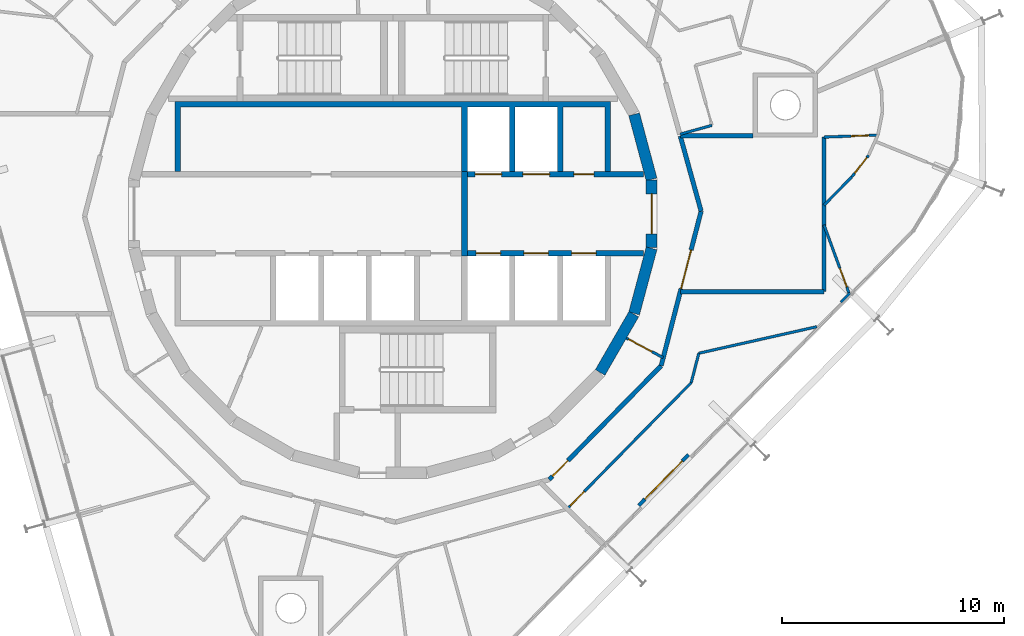
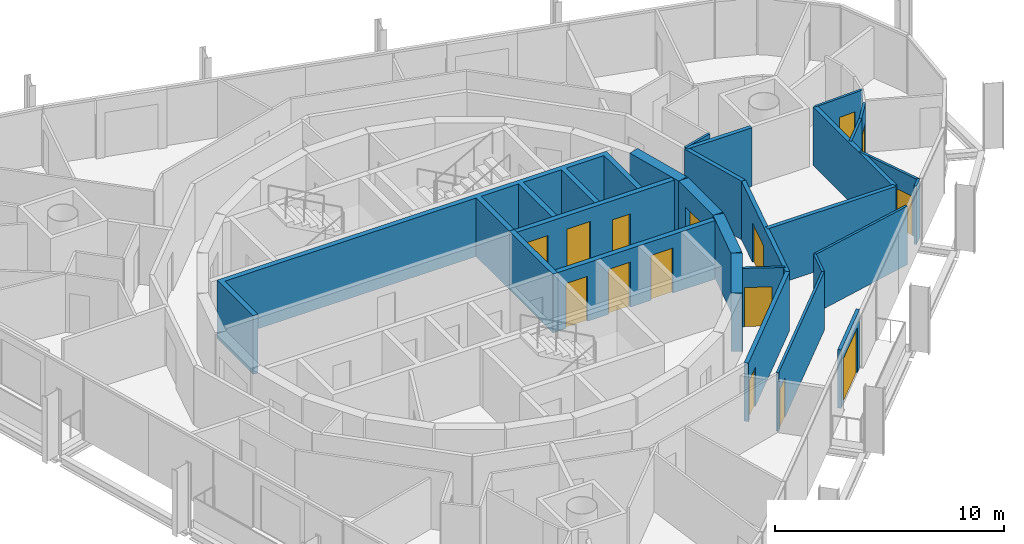
# One storey, part 11 of 15: 25 walls, 15 doors, 15 openings.
"""IFC4 building model written with IfcOpenShell, lengths in metres."""

from ifc_helpers import new_model, si_unit, direction, frame, frame_2d, origin, place, context, subcontext, project, spatial, polyline, rectangle, outline, extrude, material, layer, layer_set, type_object, element, fill, save


model = new_model("IFC4")

# Units and contexts
model_context = context("Model", 3, precision=1e-05, world=origin(), true_north=direction((0.0, 1.0)))
body_context = subcontext(model_context, "Body", "Model", "MODEL_VIEW")
ifc_project = project(units=[si_unit("LENGTHUNIT", "METRE"), si_unit("AREAUNIT", "SQUARE_METRE"), si_unit("VOLUMEUNIT", "CUBIC_METRE"), si_unit("PLANEANGLEUNIT", "RADIAN"), si_unit("MASSUNIT", "GRAM", prefix="KILO")], contexts=[model_context])

# Site, building, storey
site_placement = place(None, origin())
site = spatial("IfcSite", under=ifc_project, at=site_placement, CompositionType="ELEMENT")
building_placement = place(site_placement, origin())
building = spatial("IfcBuilding", under=site, at=building_placement, Name="Spindle Arch Residences", CompositionType="ELEMENT")
storey_placement = place(building_placement, frame((0.0, 0.0, 315.699951171875)))
storey = spatial("IfcBuildingStorey", under=building, at=storey_placement, Name="L81", CompositionType="ELEMENT", Elevation=315.699951171875)

# Walls
ifc_material_1 = material(Name="Concrete C50/60", Category="concrete")
ifc_layer_1 = layer(ifc_material_1, 0.5)
ifc_layer_set_1 = layer_set([ifc_layer_1], Name="Core outline wall 500")
wall_type_1 = type_object("IfcWallType", Name="Core outline wall 500", PredefinedType="SHEAR", material=ifc_layer_set_1)
for number, where, z_axis, x_axis, name in (
    (1, (9.32861328125, -7.13671875, 0.0), (0.0, 0.0, 1.0), (0.500087131594, 0.865975092491, 0.0), "Core outline wall 4"),
    (2, (10.858154296875, -4.479248046875, 0.0), (0.0, 0.0, 1.0), (0.258734743916, 0.965948410781, 0.0), "Core outline wall 5"),
):
    element("IfcWall", number, at=place(storey_placement, frame(where, z_axis=z_axis, x_axis=x_axis)), inside=storey, type_object=wall_type_1, Name=name, PredefinedType="SHEAR", context=body_context, shape_type="SweptSolid", body=[
        extrude(rectangle(XDim=3.03271484375, YDim=0.5, at=frame_2d((1.516357421875, 0.0))), origin(), (0.0, 0.0, 1.0), 3.1201171875),
    ])

# Wall, opening, door
wall_1_placement = place(storey_placement, frame((11.647216796875, -1.516357421875, 0.0), z_axis=(0.0, 0.0, 1.0), x_axis=(0.0, 1.0, 0.0)))
wall_1 = element("IfcWall", 3, at=wall_1_placement, inside=storey, type_object=wall_type_1, Name="Core outline wall 6", PredefinedType="SHEAR", context=body_context, shape_type="SweptSolid", body=[
    extrude(rectangle(XDim=3.03271484375, YDim=0.5, at=frame_2d((1.516357421875, 0.0))), origin(), (0.0, 0.0, 1.0), 3.1201171875),
])
opening_1_placement = place(wall_1_placement, frame((0.6162109375, 0.0, 0.0)))
opening_1 = element("IfcOpeningElement", 4, at=opening_1_placement, cuts=wall_1, Name="Opening R8B1-FE01", PredefinedType="OPENING", context=body_context, shape_type="SweptSolid", body=[
    extrude(rectangle(XDim=1.800048828125, YDim=2.10009765625, at=frame_2d((0.89990234375, 1.050048828125))), frame((0.0, 0.260009765625, 0.0), z_axis=(0.0, -1.0, 0.0), x_axis=(1.0, 0.0, 0.0)), (0.0, 0.0, 1.0), 0.52001953125),
])
ifc_material_2 = material(Name="Steel, fire-resisting door", Category="steel")
door_type_1 = type_object("IfcDoorType", Name="Fire-lift lobby door 1800x2100", OperationType="DOUBLE_DOOR_SINGLE_SWING", PredefinedType="DOOR", material=ifc_material_2)
door_1_placement = place(opening_1_placement, origin())
door_1 = element("IfcDoor", 5, at=door_1_placement, inside=storey, type_object=door_type_1, Name="Fire-lift lobby door R8B1-FE01", OperationType="DOUBLE_DOOR_SINGLE_SWING", OverallHeight=2.10009765625, OverallWidth=1.800048828125, PredefinedType="DOOR", context=body_context, shape_type="SweptSolid", body=[
    extrude(rectangle(XDim=1.800048828125, YDim=2.10009765625, at=frame_2d((0.89990234375, 1.050048828125))), frame((0.0, 0.02490234375, 0.0), z_axis=(0.0, -1.0, 0.0), x_axis=(1.0, 0.0, 0.0)), (0.0, 0.0, 1.0), 0.050048828125),
])
fill(opening_1, door_1)

# Wall
wall_2_placement = place(storey_placement, frame((11.642822265625, 1.5498046875, 0.0), z_axis=(0.0, 0.0, 1.0), x_axis=(-0.258734743916, 0.965948410781, 0.0)))
element("IfcWall", 6, at=wall_2_placement, inside=storey, type_object=wall_type_1, Name="Core outline wall 7", PredefinedType="SHEAR", context=body_context, shape_type="SweptSolid", body=[
    extrude(rectangle(XDim=3.03271484375, YDim=0.5, at=frame_2d((1.516357421875, 0.0))), origin(), (0.0, 0.0, 1.0), 3.1201171875),
])

# Wall, opening, door
ifc_material_3 = material(Name="Plasterboard on steel studs", Category="steel")
ifc_layer_2 = layer(ifc_material_3, 0.1201171875)
ifc_layer_set_2 = layer_set([ifc_layer_2], Name="Corridor division wall 120")
wall_type_2 = type_object("IfcWallType", Name="Corridor division wall 120", PredefinedType="PARTITIONING", material=ifc_layer_set_2)
wall_3_placement = place(storey_placement, frame((10.510986328125, -5.5888671875, 0.0), z_axis=(0.0, 0.0, 1.0), x_axis=(0.882957311919, -0.469453283437, 0.0)))
wall_3 = element("IfcWall", 7, at=wall_3_placement, inside=storey, type_object=wall_type_2, Name="Corridor division wall R8B1-W002", PredefinedType="PARTITIONING", context=body_context, shape_type="SweptSolid", body=[
    extrude(rectangle(XDim=1.87646484375, YDim=0.1201171875, at=frame_2d((0.938232421875, 0.0))), origin(), (0.0, 0.0, 1.0), 3.1201171875),
])
opening_2_placement = place(wall_3_placement, frame((0.10009765625, 0.0, 0.0)))
opening_2 = element("IfcOpeningElement", 8, at=opening_2_placement, cuts=wall_3, Name="Opening R8B1-CD02", PredefinedType="OPENING", context=body_context, shape_type="SweptSolid", body=[
    extrude(rectangle(XDim=1.199951171875, YDim=2.10009765625, at=frame_2d((0.60009765625, 1.050048828125))), frame((0.0, 0.070068359375, 0.0), z_axis=(0.0, -1.0, 0.0), x_axis=(1.0, 0.0, 0.0)), (0.0, 0.0, 1.0), 0.14013671875),
])
ifc_material_4 = material(Name="Steel, fire-resisting door", Category="steel")
door_type_2 = type_object("IfcDoorType", Name="Corridor division door 1200x2100", OperationType="NOTDEFINED", PredefinedType="DOOR", material=ifc_material_4)
door_2_placement = place(opening_2_placement, origin())
door_2 = element("IfcDoor", 9, at=door_2_placement, inside=storey, type_object=door_type_2, Name="Corridor division door R8B1-CD02", OperationType="DOUBLE_DOOR_SINGLE_SWING", OverallHeight=2.10009765625, OverallWidth=1.199951171875, PredefinedType="DOOR", context=body_context, shape_type="SweptSolid", body=[
    extrude(rectangle(XDim=1.199951171875, YDim=2.10009765625, at=frame_2d((0.60009765625, 1.050048828125))), frame((0.0, 0.02490234375, 0.0), z_axis=(0.0, -1.0, 0.0), x_axis=(1.0, 0.0, 0.0)), (0.0, 0.0, 1.0), 0.050048828125),
])
fill(opening_2, door_2)

ifc_material_5 = material(Name="Calcium silicate block, plastered")
ifc_layer_3 = layer(ifc_material_5, 0.199951171875)
ifc_layer_set_3 = layer_set([ifc_layer_3], Name="Corridor wall 200")
wall_type_3 = type_object("IfcWallType", Name="Corridor wall 200", PredefinedType="STANDARD", material=ifc_layer_set_3)
wall_4_placement = place(storey_placement, frame((7.041015625, -11.953125, 0.0), z_axis=(0.0, 0.0, 1.0), x_axis=(0.70090916255, 0.713250549143, 0.0)))
wall_4 = element("IfcWall", 10, at=wall_4_placement, inside=storey, type_object=wall_type_3, Name="Corridor wall R8B1-W016", PredefinedType="STANDARD", context=body_context, shape_type="SweptSolid", body=[
    extrude(rectangle(XDim=7.180908203125, YDim=0.199951171875, at=frame_2d((3.59033203125, 0.0))), origin(), (0.0, 0.0, 1.0), 3.1201171875),
])
opening_3_placement = place(wall_4_placement, frame((0.199951171875, 0.0, 0.0)))
opening_3 = element("IfcOpeningElement", 11, at=opening_3_placement, cuts=wall_4, Name="Opening R8B1-FD06", PredefinedType="OPENING", context=body_context, shape_type="SweptSolid", body=[
    extrude(rectangle(XDim=1.0, YDim=2.10009765625, at=frame_2d((0.5, 1.050048828125))), frame((0.0, 0.10986328125, 0.0), z_axis=(0.0, -1.0, 0.0), x_axis=(1.0, 0.0, 0.0)), (0.0, 0.0, 1.0), 0.219970703125),
])
ifc_material_6 = material(Name="Timber, fire-resisting door set", Category="wood")
door_type_3 = type_object("IfcDoorType", Name="Flat entrance door 1000x2100", OperationType="NOTDEFINED", PredefinedType="DOOR", material=ifc_material_6)
door_3_placement = place(opening_3_placement, origin())
door_3 = element("IfcDoor", 12, at=door_3_placement, inside=storey, type_object=door_type_3, Name="Flat entrance door R8B1-FD06", OperationType="SINGLE_SWING_LEFT", OverallHeight=2.10009765625, OverallWidth=1.0, PredefinedType="DOOR", context=body_context, shape_type="SweptSolid", body=[
    extrude(rectangle(XDim=1.0, YDim=2.10009765625, at=frame_2d((0.5, 1.050048828125))), frame((0.0, 0.02490234375, 0.0), z_axis=(0.0, -1.0, 0.0), x_axis=(1.0, 0.0, 0.0)), (0.0, 0.0, 1.0), 0.050048828125),
])
fill(opening_3, door_3)

ifc_material_7 = material(Name="Calcium silicate block, plastered")
ifc_layer_4 = layer(ifc_material_7, 0.199951171875)
ifc_layer_set_4 = layer_set([ifc_layer_4], Name="Fire-lift lobby bay wall 200")
wall_type_4 = type_object("IfcWallType", Name="Fire-lift lobby bay wall 200", PredefinedType="STANDARD", material=ifc_layer_set_4)
wall_5_placement = place(storey_placement, frame((12.07421875, -6.831298828125, 0.0), z_axis=(0.0, 0.0, 1.0), x_axis=(0.250391063186, 0.968144780225, 0.0)))
wall_5 = element("IfcWall", 13, at=wall_5_placement, inside=storey, type_object=wall_type_4, Name="Fire-lift lobby bay wall R8B1-W004", PredefinedType="STANDARD", context=body_context, shape_type="SweptSolid", body=[
    extrude(rectangle(XDim=7.18115234375, YDim=0.199951171875, at=frame_2d((3.590576171875, 0.0))), origin(), (0.0, 0.0, 1.0), 3.1201171875),
])
opening_4_placement = place(wall_5_placement, frame((3.580810546875, 0.0, 0.0)))
opening_4 = element("IfcOpeningElement", 14, at=opening_4_placement, cuts=wall_5, Name="Opening R8B1-FB01", PredefinedType="OPENING", context=body_context, shape_type="SweptSolid", body=[
    extrude(rectangle(XDim=1.800048828125, YDim=2.10009765625, at=frame_2d((0.89990234375, 1.050048828125))), frame((0.0, 0.10986328125, 0.0), z_axis=(0.0, -1.0, 0.0), x_axis=(1.0, 0.0, 0.0)), (0.0, 0.0, 1.0), 0.219970703125),
])
ifc_material_8 = material(Name="Steel, fire-resisting door", Category="steel")
door_type_4 = type_object("IfcDoorType", Name="Fire-lift lobby bay door 1800x2100", OperationType="NOTDEFINED", PredefinedType="DOOR", material=ifc_material_8)
door_4_placement = place(opening_4_placement, origin())
door_4 = element("IfcDoor", 15, at=door_4_placement, inside=storey, type_object=door_type_4, Name="Fire-lift lobby bay door R8B1-FB01", OperationType="DOUBLE_DOOR_SINGLE_SWING", OverallHeight=2.10009765625, OverallWidth=1.800048828125, PredefinedType="DOOR", context=body_context, shape_type="SweptSolid", body=[
    extrude(rectangle(XDim=1.800048828125, YDim=2.10009765625, at=frame_2d((0.89990234375, 1.050048828125))), frame((0.0, 0.02490234375, 0.0), z_axis=(0.0, -1.0, 0.0), x_axis=(1.0, 0.0, 0.0)), (0.0, 0.0, 1.0), 0.050048828125),
])
fill(opening_4, door_4)

# Walls
wall_6_placement = place(storey_placement, frame((13.872314453125, 0.12109375, 0.0), z_axis=(0.0, 0.0, 1.0), x_axis=(-0.267291928416, 0.963615600228, 0.0)))
element("IfcWall", 16, at=wall_6_placement, inside=storey, type_object=wall_type_4, Name="Fire-lift lobby bay wall R8B1-W005", PredefinedType="STANDARD", context=body_context, shape_type="SweptSolid", body=[
    extrude(rectangle(XDim=3.506591796875, YDim=0.199951171875, at=frame_2d((1.75341796875, 0.0))), origin(), (0.0, 0.0, 1.0), 3.1201171875),
])
wall_7_placement = place(storey_placement, frame((16.20263671875, 3.510009765625, 0.0), z_axis=(0.0, 0.0, 1.0), x_axis=(-1.0, 0.0, 0.0)))
element("IfcWall", 17, at=wall_7_placement, inside=storey, type_object=wall_type_4, Name="Fire-lift lobby bay wall R8B1-W019", PredefinedType="STANDARD", context=body_context, shape_type="SweptSolid", body=[
    extrude(rectangle(XDim=3.260009765625, YDim=0.199951171875, at=frame_2d((1.6298828125, 0.0))), origin(), (0.0, 0.0, 1.0), 3.1201171875),
])
wall_8_placement = place(storey_placement, frame((12.935791015625, -3.5, 0.0), z_axis=(0.0, 0.0, 1.0), x_axis=(1.0, 0.0, 0.0)))
element("IfcWall", 18, at=wall_8_placement, inside=storey, type_object=wall_type_4, Name="Fire-lift lobby bay wall R8B1-W020", PredefinedType="STANDARD", context=body_context, shape_type="SweptSolid", body=[
    extrude(rectangle(XDim=6.464111328125, YDim=0.199951171875, at=frame_2d((3.23193359375, 0.0))), origin(), (0.0, 0.0, 1.0), 3.1201171875),
])
wall_9_placement = place(storey_placement, frame((19.39990234375, -3.5, 0.0), z_axis=(0.0, 0.0, 1.0), x_axis=(0.0, 1.0, 0.0)))
element("IfcWall", 19, at=wall_9_placement, inside=storey, type_object=wall_type_4, Name="Fire-lift lobby bay wall R8B1-W021", PredefinedType="STANDARD", context=body_context, shape_type="SweptSolid", body=[
    extrude(rectangle(XDim=6.953857421875, YDim=0.199951171875, at=frame_2d((3.47705078125, 0.0))), origin(), (0.0, 0.0, 1.0), 3.1201171875),
])

# Wall, openings, doors
ifc_material_9 = material(Name="Concrete C40/50", Category="concrete")
ifc_layer_5 = layer(ifc_material_9, 0.25)
ifc_layer_set_5 = layer_set([ifc_layer_5], Name="Fire-lift lobby wall 250")
wall_type_5 = type_object("IfcWallType", Name="Fire-lift lobby wall 250", PredefinedType="SHEAR", material=ifc_layer_set_5)
wall_10_placement = place(storey_placement, frame((3.35009765625, 1.77490234375, 0.0), z_axis=(0.0, 0.0, 1.0), x_axis=(1.0, 0.0, 0.0)))
wall_10 = element("IfcWall", 20, at=wall_10_placement, inside=storey, type_object=wall_type_5, Name="Lift shaft front wall NE", PredefinedType="SHEAR", context=body_context, shape_type="SweptSolid", body=[
    extrude(rectangle(XDim=7.929931640625, YDim=0.25, at=frame_2d((3.96484375, 0.0))), origin(), (0.0, 0.0, 1.0), 3.1201171875),
])
opening_5_placement = place(wall_10_placement, frame((0.35009765625, 0.0, 0.0)))
opening_5 = element("IfcOpeningElement", 21, at=opening_5_placement, cuts=wall_10, Name="Opening R8B1-SLD01", PredefinedType="OPENING", context=body_context, shape_type="SweptSolid", body=[
    extrude(rectangle(XDim=1.199951171875, YDim=2.39990234375, at=frame_2d((0.60009765625, 1.199951171875))), frame((0.0, 0.135009765625, 0.0), z_axis=(0.0, -1.0, 0.0), x_axis=(1.0, 0.0, 0.0)), (0.0, 0.0, 1.0), 0.27001953125),
])
opening_6_placement = place(wall_10_placement, frame((2.5, 0.0, 0.0)))
opening_6 = element("IfcOpeningElement", 22, at=opening_6_placement, cuts=wall_10, Name="Opening R8B1-SLD02", PredefinedType="OPENING", context=body_context, shape_type="SweptSolid", body=[
    extrude(rectangle(XDim=1.199951171875, YDim=2.39990234375, at=frame_2d((0.60009765625, 1.199951171875))), frame((0.0, 0.135009765625, 0.0), z_axis=(0.0, -1.0, 0.0), x_axis=(1.0, 0.0, 0.0)), (0.0, 0.0, 1.0), 0.27001953125),
])
opening_7_placement = place(wall_10_placement, frame((4.800048828125, 0.0, 0.0)))
opening_7 = element("IfcOpeningElement", 23, at=opening_7_placement, cuts=wall_10, Name="Opening R8B1-WD02", PredefinedType="OPENING", context=body_context, shape_type="SweptSolid", body=[
    extrude(rectangle(XDim=0.89990234375, YDim=2.10009765625, at=frame_2d((0.449951171875, 1.050048828125))), frame((0.0, 0.135009765625, 0.0), z_axis=(0.0, -1.0, 0.0), x_axis=(1.0, 0.0, 0.0)), (0.0, 0.0, 1.0), 0.27001953125),
])
ifc_material_10 = material(Name="Steel, fire-resisting landing door", Category="steel")
door_type_5 = type_object("IfcDoorType", Name="Service lift landing door 1200x2400", OperationType="DOUBLE_DOOR_SLIDING", PredefinedType="DOOR", material=ifc_material_10)
door_5_placement = place(opening_5_placement, origin())
door_5 = element("IfcDoor", 24, at=door_5_placement, inside=storey, type_object=door_type_5, Name="Service lift landing door R8B1-SLD01", OperationType="DOUBLE_DOOR_SLIDING", OverallHeight=2.39990234375, OverallWidth=1.199951171875, PredefinedType="DOOR", context=body_context, shape_type="SweptSolid", body=[
    extrude(rectangle(XDim=1.199951171875, YDim=2.39990234375, at=frame_2d((0.60009765625, 1.199951171875))), frame((0.0, 0.02490234375, 0.0), z_axis=(0.0, -1.0, 0.0), x_axis=(1.0, 0.0, 0.0)), (0.0, 0.0, 1.0), 0.050048828125),
])
fill(opening_5, door_5)
door_6_placement = place(opening_6_placement, origin())
door_6 = element("IfcDoor", 25, at=door_6_placement, inside=storey, type_object=door_type_5, Name="Service lift landing door R8B1-SLD02", OperationType="DOUBLE_DOOR_SLIDING", OverallHeight=2.39990234375, OverallWidth=1.199951171875, PredefinedType="DOOR", context=body_context, shape_type="SweptSolid", body=[
    extrude(rectangle(XDim=1.199951171875, YDim=2.39990234375, at=frame_2d((0.60009765625, 1.199951171875))), frame((0.0, 0.02490234375, 0.0), z_axis=(0.0, -1.0, 0.0), x_axis=(1.0, 0.0, 0.0)), (0.0, 0.0, 1.0), 0.050048828125),
])
fill(opening_6, door_6)
ifc_material_11 = material(Name="Steel, fire-resisting door", Category="steel")
door_type_6 = type_object("IfcDoorType", Name="Service room door 900x2100", OperationType="SINGLE_SWING_LEFT", PredefinedType="DOOR", material=ifc_material_11)
door_7_placement = place(opening_7_placement, origin())
door_7 = element("IfcDoor", 26, at=door_7_placement, inside=storey, type_object=door_type_6, Name="Service room door R8B1-WD02", OperationType="SINGLE_SWING_RIGHT", OverallHeight=2.10009765625, OverallWidth=0.89990234375, PredefinedType="DOOR", context=body_context, shape_type="SweptSolid", body=[
    extrude(rectangle(XDim=0.89990234375, YDim=2.10009765625, at=frame_2d((0.449951171875, 1.050048828125))), frame((0.0, 0.02490234375, 0.0), z_axis=(0.0, -1.0, 0.0), x_axis=(1.0, 0.0, 0.0)), (0.0, 0.0, 1.0), 0.050048828125),
])
fill(opening_7, door_7)

# Wall
wall_11_placement = place(storey_placement, frame((3.22509765625, -1.89990234375, 0.0), z_axis=(0.0, 0.0, 1.0), x_axis=(0.0, 1.0, 0.0)))
element("IfcWall", 27, at=wall_11_placement, inside=storey, type_object=wall_type_5, Name="Fire-fighting lobby partition", PredefinedType="SHEAR", context=body_context, shape_type="SweptSolid", body=[
    extrude(rectangle(XDim=3.7998046875, YDim=0.25, at=frame_2d((1.89990234375, 0.0))), origin(), (0.0, 0.0, 1.0), 3.1201171875),
])

# Wall, openings, doors
ifc_material_12 = material(Name="Concrete C50/60", Category="concrete")
ifc_layer_6 = layer(ifc_material_12, 0.25)
ifc_layer_set_6 = layer_set([ifc_layer_6], Name="Fire-lift shaft wall 250")
wall_type_6 = type_object("IfcWallType", Name="Fire-lift shaft wall 250", PredefinedType="SHEAR", material=ifc_layer_set_6)
wall_12_placement = place(storey_placement, frame((3.35009765625, -1.77490234375, 0.0), z_axis=(0.0, 0.0, 1.0), x_axis=(1.0, 0.0, 0.0)))
wall_12 = element("IfcWall", 28, at=wall_12_placement, inside=storey, type_object=wall_type_6, Name="Lift shaft front wall SE", PredefinedType="SHEAR", context=body_context, shape_type="SweptSolid", body=[
    extrude(rectangle(XDim=7.929931640625, YDim=0.25, at=frame_2d((3.96484375, 0.0))), origin(), (0.0, 0.0, 1.0), 3.1201171875),
])
opening_8_placement = place(wall_12_placement, frame((0.39990234375, 0.0, 0.0)))
opening_8 = element("IfcOpeningElement", 29, at=opening_8_placement, cuts=wall_12, Name="Opening R8B1-FLD01", PredefinedType="OPENING", context=body_context, shape_type="SweptSolid", body=[
    extrude(rectangle(XDim=1.10009765625, YDim=2.39990234375, at=frame_2d((0.550048828125, 1.199951171875))), frame((0.0, 0.135009765625, 0.0), z_axis=(0.0, -1.0, 0.0), x_axis=(1.0, 0.0, 0.0)), (0.0, 0.0, 1.0), 0.27001953125),
])
opening_9_placement = place(wall_12_placement, frame((2.550048828125, 0.0, 0.0)))
opening_9 = element("IfcOpeningElement", 30, at=opening_9_placement, cuts=wall_12, Name="Opening R8B1-FLD02", PredefinedType="OPENING", context=body_context, shape_type="SweptSolid", body=[
    extrude(rectangle(XDim=1.10009765625, YDim=2.39990234375, at=frame_2d((0.550048828125, 1.199951171875))), frame((0.0, 0.135009765625, 0.0), z_axis=(0.0, -1.0, 0.0), x_axis=(1.0, 0.0, 0.0)), (0.0, 0.0, 1.0), 0.27001953125),
])
opening_10_placement = place(wall_12_placement, frame((4.699951171875, 0.0, 0.0)))
opening_10 = element("IfcOpeningElement", 31, at=opening_10_placement, cuts=wall_12, Name="Opening R8B1-FLD03", PredefinedType="OPENING", context=body_context, shape_type="SweptSolid", body=[
    extrude(rectangle(XDim=1.10009765625, YDim=2.39990234375, at=frame_2d((0.550048828125, 1.199951171875))), frame((0.0, 0.135009765625, 0.0), z_axis=(0.0, -1.0, 0.0), x_axis=(1.0, 0.0, 0.0)), (0.0, 0.0, 1.0), 0.27001953125),
])
ifc_material_13 = material(Name="Steel, fire-resisting landing door", Category="steel")
door_type_7 = type_object("IfcDoorType", Name="Fire-fighting lift landing door 1100x2400", OperationType="DOUBLE_DOOR_SLIDING", PredefinedType="DOOR", material=ifc_material_13)
door_8_placement = place(opening_8_placement, origin())
door_8 = element("IfcDoor", 32, at=door_8_placement, inside=storey, type_object=door_type_7, Name="Fire-fighting lift landing door R8B1-FLD01", OperationType="DOUBLE_DOOR_SLIDING", OverallHeight=2.39990234375, OverallWidth=1.10009765625, PredefinedType="DOOR", context=body_context, shape_type="SweptSolid", body=[
    extrude(rectangle(XDim=1.10009765625, YDim=2.39990234375, at=frame_2d((0.550048828125, 1.199951171875))), frame((0.0, 0.02490234375, 0.0), z_axis=(0.0, -1.0, 0.0), x_axis=(1.0, 0.0, 0.0)), (0.0, 0.0, 1.0), 0.050048828125),
])
fill(opening_8, door_8)
door_9_placement = place(opening_9_placement, origin())
door_9 = element("IfcDoor", 33, at=door_9_placement, inside=storey, type_object=door_type_7, Name="Fire-fighting lift landing door R8B1-FLD02", OperationType="DOUBLE_DOOR_SLIDING", OverallHeight=2.39990234375, OverallWidth=1.10009765625, PredefinedType="DOOR", context=body_context, shape_type="SweptSolid", body=[
    extrude(rectangle(XDim=1.10009765625, YDim=2.39990234375, at=frame_2d((0.550048828125, 1.199951171875))), frame((0.0, 0.02490234375, 0.0), z_axis=(0.0, -1.0, 0.0), x_axis=(1.0, 0.0, 0.0)), (0.0, 0.0, 1.0), 0.050048828125),
])
fill(opening_9, door_9)
door_10_placement = place(opening_10_placement, origin())
door_10 = element("IfcDoor", 34, at=door_10_placement, inside=storey, type_object=door_type_7, Name="Fire-fighting lift landing door R8B1-FLD03", OperationType="DOUBLE_DOOR_SLIDING", OverallHeight=2.39990234375, OverallWidth=1.10009765625, PredefinedType="DOOR", context=body_context, shape_type="SweptSolid", body=[
    extrude(rectangle(XDim=1.10009765625, YDim=2.39990234375, at=frame_2d((0.550048828125, 1.199951171875))), frame((0.0, 0.02490234375, 0.0), z_axis=(0.0, -1.0, 0.0), x_axis=(1.0, 0.0, 0.0)), (0.0, 0.0, 1.0), 0.050048828125),
])
fill(opening_10, door_10)

# Walls
ifc_material_14 = material(Name="Plasterboard on steel studs", Category="steel")
ifc_layer_7 = layer(ifc_material_14, 0.1201171875)
ifc_layer_set_7 = layer_set([ifc_layer_7], Name="Flat partition 120")
wall_type_7 = type_object("IfcWallType", Name="Flat partition 120", PredefinedType="PARTITIONING", material=ifc_layer_set_7)
wall_13_placement = place(storey_placement, frame((12.927001953125, 3.5849609375, 0.0), z_axis=(0.0, 0.0, 1.0), x_axis=(0.963616756608, 0.26728775951, 0.0)))
element("IfcWall", 35, at=wall_13_placement, inside=storey, type_object=wall_type_7, Name="Flat partition R8B1-W030", PredefinedType="PARTITIONING", context=body_context, shape_type="SweptSolid", body=[
    extrude(rectangle(XDim=1.485107421875, YDim=0.1201171875, at=frame_2d((0.74267578125, 0.0))), origin(), (0.0, 0.0, 1.0), 3.1201171875),
])
wall_14_placement = place(storey_placement, frame((20.56591796875, -3.56103515625, 0.0), z_axis=(0.0, 0.0, 1.0), x_axis=(-0.700950066256, -0.713210350889, 0.0)))
element("IfcWall", 36, at=wall_14_placement, inside=storey, type_object=wall_type_7, Name="Flat partition R8B1-W074", PredefinedType="PARTITIONING", context=body_context, shape_type="SweptSolid", body=[
    extrude(rectangle(XDim=0.577392578125, YDim=0.1201171875, at=frame_2d((0.28857421875, 0.0))), origin(), (0.0, 0.0, 1.0), 3.1201171875),
])

# Wall, opening, door
wall_15_placement = place(storey_placement, frame((20.534912109375, -3.592529296875, 0.0), z_axis=(0.0, 0.0, 1.0), x_axis=(-0.344065452993, 0.93894566619, 0.0)))
wall_15 = element("IfcWall", 37, at=wall_15_placement, inside=storey, type_object=wall_type_7, Name="Flat partition R8B1-W075", PredefinedType="PARTITIONING", context=body_context, shape_type="SweptSolid", body=[
    extrude(rectangle(XDim=3.298828125, YDim=0.1201171875, at=frame_2d((1.6494140625, 0.0))), origin(), (0.0, 0.0, 1.0), 3.1201171875),
])
opening_11_placement = place(wall_15_placement, frame((0.320068359375, 0.0, 0.0)))
opening_11 = element("IfcOpeningElement", 38, at=opening_11_placement, cuts=wall_15, Name="Opening R8B1-ID18", PredefinedType="OPENING", context=body_context, shape_type="SweptSolid", body=[
    extrude(rectangle(XDim=0.89990234375, YDim=2.10009765625, at=frame_2d((0.449951171875, 1.050048828125))), frame((0.0, 0.070068359375, 0.0), z_axis=(0.0, -1.0, 0.0), x_axis=(1.0, 0.0, 0.0)), (0.0, 0.0, 1.0), 0.14013671875),
])
ifc_material_15 = material(Name="Timber door set", Category="wood")
door_type_8 = type_object("IfcDoorType", Name="Room door 900x2100", OperationType="NOTDEFINED", PredefinedType="DOOR", material=ifc_material_15)
door_11_placement = place(opening_11_placement, origin())
door_11 = element("IfcDoor", 39, at=door_11_placement, inside=storey, type_object=door_type_8, Name="Room door R8B1-ID18", OperationType="SINGLE_SWING_RIGHT", OverallHeight=2.10009765625, OverallWidth=0.89990234375, PredefinedType="DOOR", context=body_context, shape_type="SweptSolid", body=[
    extrude(rectangle(XDim=0.89990234375, YDim=2.10009765625, at=frame_2d((0.449951171875, 1.050048828125))), frame((0.0, 0.02490234375, 0.0), z_axis=(0.0, -1.0, 0.0), x_axis=(1.0, 0.0, 0.0)), (0.0, 0.0, 1.0), 0.050048828125),
])
fill(opening_11, door_11)

wall_16_placement = place(storey_placement, frame((7.846435546875, -13.2734375, 0.0), z_axis=(0.0, 0.0, 1.0), x_axis=(0.700915117659, 0.713244697027, 0.0)))
wall_16 = element("IfcWall", 40, at=wall_16_placement, inside=storey, type_object=wall_type_7, Name="Flat partition R8B1-W076", PredefinedType="PARTITIONING", context=body_context, shape_type="SweptSolid", body=[
    extrude(rectangle(XDim=7.960205078125, YDim=0.1201171875, at=frame_2d((3.97998046875, 0.0))), origin(), (0.0, 0.0, 1.0), 3.1201171875),
])
opening_12_placement = place(wall_16_placement, frame((0.199951171875, 0.0, 0.0)))
opening_12 = element("IfcOpeningElement", 41, at=opening_12_placement, cuts=wall_16, Name="Opening R8B1-ID19", PredefinedType="OPENING", context=body_context, shape_type="SweptSolid", body=[
    extrude(rectangle(XDim=0.89990234375, YDim=2.10009765625, at=frame_2d((0.449951171875, 1.050048828125))), frame((0.0, 0.070068359375, 0.0), z_axis=(0.0, -1.0, 0.0), x_axis=(1.0, 0.0, 0.0)), (0.0, 0.0, 1.0), 0.14013671875),
])
door_12_placement = place(opening_12_placement, origin())
door_12 = element("IfcDoor", 42, at=door_12_placement, inside=storey, type_object=door_type_8, Name="Room door R8B1-ID19", OperationType="SINGLE_SWING_LEFT", OverallHeight=2.10009765625, OverallWidth=0.89990234375, PredefinedType="DOOR", context=body_context, shape_type="SweptSolid", body=[
    extrude(rectangle(XDim=0.89990234375, YDim=2.10009765625, at=frame_2d((0.449951171875, 1.050048828125))), frame((0.0, 0.02490234375, 0.0), z_axis=(0.0, -1.0, 0.0), x_axis=(1.0, 0.0, 0.0)), (0.0, 0.0, 1.0), 0.050048828125),
])
fill(opening_12, door_12)

# Walls
wall_17_placement = place(storey_placement, frame((13.42578125, -7.595947265625, 0.0), z_axis=(0.0, 0.0, 1.0), x_axis=(0.250417410425, 0.968137965662, 0.0)))
element("IfcWall", 43, at=wall_17_placement, inside=storey, type_object=wall_type_7, Name="Flat partition R8B1-W077", PredefinedType="PARTITIONING", context=body_context, shape_type="SweptSolid", body=[
    extrude(rectangle(XDim=1.368896484375, YDim=0.1201171875, at=frame_2d((0.6845703125, 0.0))), origin(), (0.0, 0.0, 1.0), 3.1201171875),
])
wall_18_placement = place(storey_placement, frame((13.7685546875, -6.270751953125, 0.0), z_axis=(0.0, 0.0, 1.0), x_axis=(0.975656114164, 0.219306057589, 0.0)))
element("IfcWall", 44, at=wall_18_placement, inside=storey, type_object=wall_type_7, Name="Flat partition R8B1-W078", PredefinedType="PARTITIONING", context=body_context, shape_type="SweptSolid", body=[
    extrude(rectangle(XDim=5.439208984375, YDim=0.1201171875, at=frame_2d((2.7197265625, 0.0))), origin(), (0.0, 0.0, 1.0), 3.1201171875),
])

# Wall, opening, door
wall_19_placement = place(storey_placement, frame((21.406494140625, 2.6337890625, 0.0), z_axis=(0.0, 0.0, 1.0), x_axis=(-0.613444581667, -0.789737769911, 0.0)))
wall_19 = element("IfcWall", 45, at=wall_19_placement, inside=storey, type_object=wall_type_7, Name="Flat partition R8B1-W080", PredefinedType="PARTITIONING", context=body_context, shape_type="SweptSolid", body=[
    extrude(rectangle(XDim=1.22705078125, YDim=0.1201171875, at=frame_2d((0.613525390625, 0.0))), origin(), (0.0, 0.0, 1.0), 3.1201171875),
])
opening_13_placement = place(wall_19_placement, frame((0.1201171875, 0.0, 0.0)))
opening_13 = element("IfcOpeningElement", 46, at=opening_13_placement, cuts=wall_19, Name="Opening R8B1-ID20", PredefinedType="OPENING", context=body_context, shape_type="SweptSolid", body=[
    extrude(rectangle(XDim=0.89990234375, YDim=2.10009765625, at=frame_2d((0.449951171875, 1.050048828125))), frame((0.0, 0.070068359375, 0.0), z_axis=(0.0, -1.0, 0.0), x_axis=(1.0, 0.0, 0.0)), (0.0, 0.0, 1.0), 0.14013671875),
])
door_13_placement = place(opening_13_placement, origin())
door_13 = element("IfcDoor", 47, at=door_13_placement, inside=storey, type_object=door_type_8, Name="Room door R8B1-ID20", OperationType="SINGLE_SWING_RIGHT", OverallHeight=2.10009765625, OverallWidth=0.89990234375, PredefinedType="DOOR", context=body_context, shape_type="SweptSolid", body=[
    extrude(rectangle(XDim=0.89990234375, YDim=2.10009765625, at=frame_2d((0.449951171875, 1.050048828125))), frame((0.0, 0.02490234375, 0.0), z_axis=(0.0, -1.0, 0.0), x_axis=(1.0, 0.0, 0.0)), (0.0, 0.0, 1.0), 0.050048828125),
])
fill(opening_13, door_13)

# Wall
wall_20_placement = place(storey_placement, frame((20.65380859375, 1.664794921875, 0.0), z_axis=(0.0, 0.0, 1.0), x_axis=(-0.700870484553, -0.713288555833, 0.0)))
element("IfcWall", 48, at=wall_20_placement, inside=storey, type_object=wall_type_7, Name="Flat partition R8B1-W081", PredefinedType="PARTITIONING", context=body_context, shape_type="SweptSolid", body=[
    extrude(rectangle(XDim=1.7890625, YDim=0.1201171875, at=frame_2d((0.89453125, 0.0))), origin(), (0.0, 0.0, 1.0), 3.1201171875),
])

# Wall, opening, door
wall_21_placement = place(storey_placement, frame((21.822021484375, 3.54541015625, 0.0), z_axis=(0.0, 0.0, 1.0), x_axis=(-0.999286397149, -0.037771635816, 0.0)))
wall_21 = element("IfcWall", 49, at=wall_21_placement, inside=storey, type_object=wall_type_7, Name="Flat partition R8B1-W083", PredefinedType="PARTITIONING", context=body_context, shape_type="SweptSolid", body=[
    extrude(rectangle(XDim=2.423828125, YDim=0.1201171875, at=frame_2d((1.2119140625, 0.0))), origin(), (0.0, 0.0, 1.0), 3.1201171875),
])
opening_14_placement = place(wall_21_placement, frame((0.39990234375, 0.0, 0.0)))
opening_14 = element("IfcOpeningElement", 50, at=opening_14_placement, cuts=wall_21, Name="Opening R8B1-BD06", PredefinedType="OPENING", context=body_context, shape_type="SweptSolid", body=[
    extrude(rectangle(XDim=0.800048828125, YDim=2.10009765625, at=frame_2d((0.39990234375, 1.050048828125))), frame((0.0, 0.070068359375, 0.0), z_axis=(0.0, -1.0, 0.0), x_axis=(1.0, 0.0, 0.0)), (0.0, 0.0, 1.0), 0.14013671875),
])
ifc_material_16 = material(Name="Timber door set", Category="wood")
door_type_9 = type_object("IfcDoorType", Name="Bathroom door 800x2100", OperationType="NOTDEFINED", PredefinedType="DOOR", material=ifc_material_16)
door_14_placement = place(opening_14_placement, origin())
door_14 = element("IfcDoor", 51, at=door_14_placement, inside=storey, type_object=door_type_9, Name="Bathroom door R8B1-BD06", OperationType="SINGLE_SWING_RIGHT", OverallHeight=2.10009765625, OverallWidth=0.800048828125, PredefinedType="DOOR", context=body_context, shape_type="SweptSolid", body=[
    extrude(rectangle(XDim=0.800048828125, YDim=2.10009765625, at=frame_2d((0.39990234375, 1.050048828125))), frame((0.0, 0.02490234375, 0.0), z_axis=(0.0, -1.0, 0.0), x_axis=(1.0, 0.0, 0.0)), (0.0, 0.0, 1.0), 0.050048828125),
])
fill(opening_14, door_14)

ifc_material_17 = material(Name="Non-combustible mineral wool insulated aluminium faced external wall (K0)", Category="aluminium")
ifc_layer_8 = layer(ifc_material_17, 0.159912109375)
ifc_layer_set_8 = layer_set([ifc_layer_8], Name="Insulated external wall panel 160")
wall_type_8 = type_object("IfcWallType", Name="Insulated external wall panel 160", PredefinedType="STANDARD", material=ifc_layer_set_8)
wall_22_placement = place(storey_placement, frame((11.064208984375, -13.115966796875, 0.0), z_axis=(0.0, 0.0, 1.0), x_axis=(0.700900076932, 0.713259477439, 0.0)))
wall_22 = element("IfcWall", 52, at=wall_22_placement, inside=storey, type_object=wall_type_8, Name="External wall L81 bay 20", PredefinedType="STANDARD", context=body_context, shape_type="SweptSolid", body=[
    extrude(rectangle(XDim=3.199951171875, YDim=0.159912109375, at=frame_2d((1.60009765625, 0.0))), origin(), (0.0, 0.0, 1.0), 3.1201171875),
])
opening_15_placement = place(wall_22_placement, frame((0.39990234375, 0.0, 0.0)))
opening_15 = element("IfcOpeningElement", 53, at=opening_15_placement, cuts=wall_22, Name="Opening BD20", PredefinedType="OPENING", context=body_context, shape_type="SweptSolid", body=[
    extrude(rectangle(XDim=2.39990234375, YDim=2.39990234375, at=frame_2d((1.199951171875, 1.199951171875))), frame((0.0, 0.08984375, 0.0), z_axis=(0.0, -1.0, 0.0), x_axis=(1.0, 0.0, 0.0)), (0.0, 0.0, 1.0), 0.179931640625),
])
ifc_material_18 = material(Name="Bronze aluminium frame, tinted double glazing", Category="aluminium")
door_type_10 = type_object("IfcDoorType", Name="Sliding glazed balcony door 2400x2400", OperationType="DOUBLE_DOOR_SLIDING", PredefinedType="DOOR", material=ifc_material_18)
door_15_placement = place(opening_15_placement, origin())
door_15 = element("IfcDoor", 54, at=door_15_placement, inside=storey, type_object=door_type_10, Name="Balcony door BD20", OperationType="DOUBLE_DOOR_SLIDING", OverallHeight=2.39990234375, OverallWidth=2.39990234375, PredefinedType="DOOR", context=body_context, shape_type="SweptSolid", body=[
    extrude(rectangle(XDim=2.39990234375, YDim=2.39990234375, at=frame_2d((1.199951171875, 1.199951171875))), frame((0.0, 0.02490234375, 0.0), z_axis=(0.0, -1.0, 0.0), x_axis=(1.0, 0.0, 0.0)), (0.0, 0.0, 1.0), 0.050048828125),
])
fill(opening_15, door_15)

# Wall
ifc_material_19 = material(Name="Concrete C50/60", Category="concrete")
wall_type_9 = type_object("IfcWallType", Name="Lift shaft wall profile", PredefinedType="SHEAR", material=ifc_material_19)
wall_23_placement = place(storey_placement, origin())
element("IfcWall", 55, at=wall_23_placement, inside=storey, type_object=wall_type_9, Name="Lift shaft walls N", PredefinedType="SHEAR", context=body_context, shape_type="SweptSolid", body=[
    extrude(outline(polyline([(-9.800048828125, 1.89990234375), (-9.550048828125, 1.89990234375), (-9.550048828125, 4.800048828125), (3.10009765625, 4.800048828125), (3.10009765625, 1.89990234375), (3.35009765625, 1.89990234375), (3.35009765625, 4.800048828125), (5.25, 4.800048828125), (5.25, 1.89990234375), (5.5, 1.89990234375), (5.5, 4.800048828125), (7.39990234375, 4.800048828125), (7.39990234375, 1.89990234375), (7.64990234375, 1.89990234375), (7.64990234375, 4.800048828125), (9.550048828125, 4.800048828125), (9.550048828125, 1.89990234375), (9.800048828125, 1.89990234375), (9.800048828125, 4.800048828125), (9.800048828125, 5.050048828125), (-9.800048828125, 5.050048828125), (-9.800048828125, 4.800048828125), (-9.800048828125, 1.89990234375)])), origin(), (0.0, 0.0, 1.0), 3.1201171875),
])

save(model, "model.ifc")
